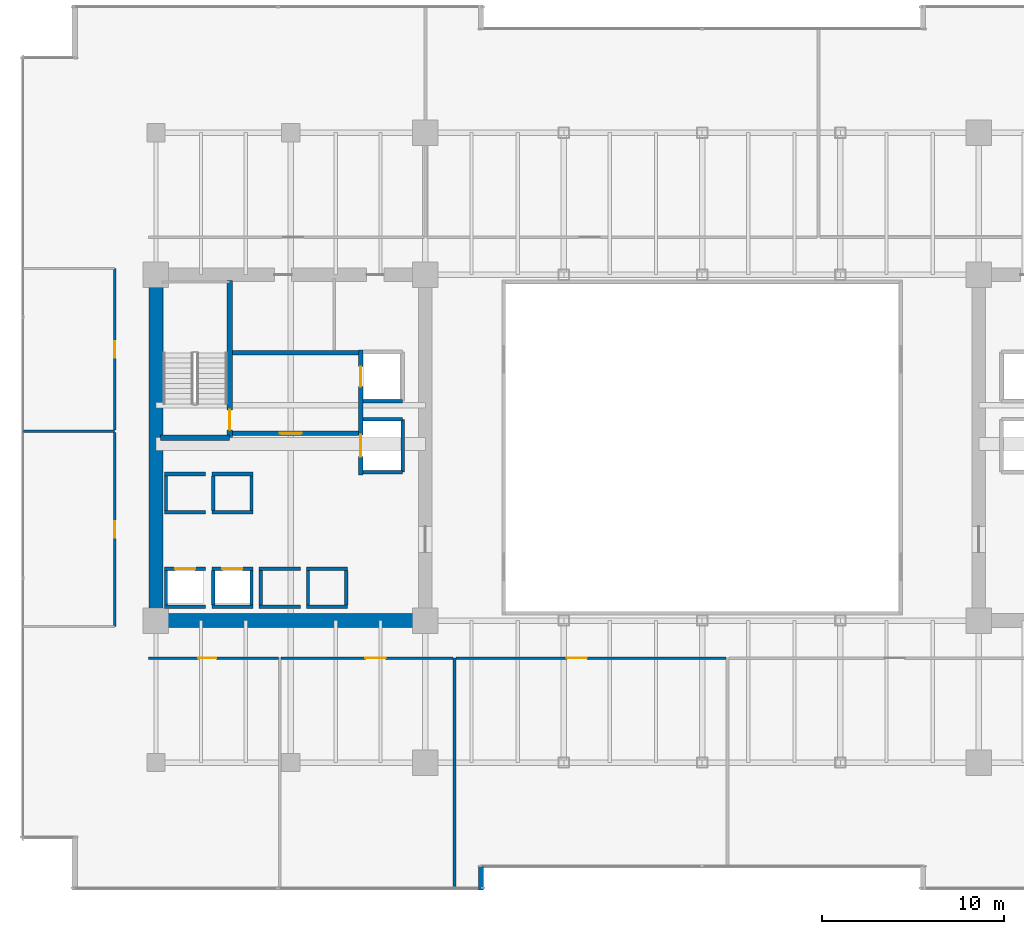
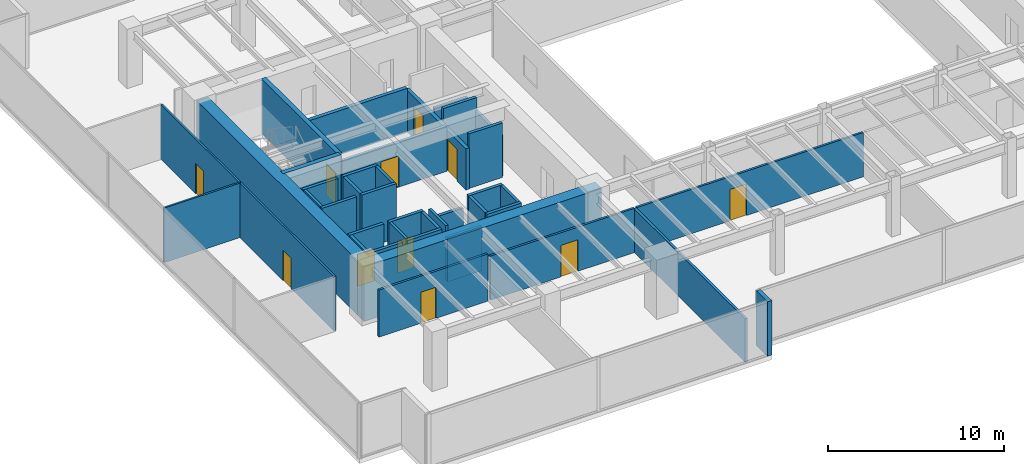
# One storey, part 29 of 35: 40 walls, 11 doors, 11 openings.
"""IFC4 building model written with IfcOpenShell, lengths in metres."""

from ifc_helpers import new_model, si_unit, direction, frame, frame_2d, origin, place, context, subcontext, project, spatial, rectangle, extrude, source, transform, mapped, material, layer, layer_set, type_object, type_shapes, element, fill, save


model = new_model("IFC4")

# Units and contexts
model_context = context("Model", 3, precision=1e-05, world=origin(), true_north=direction((0.0, 1.0)))
body_context = subcontext(model_context, "Body", "Model", "MODEL_VIEW")
ifc_project = project(units=[si_unit("LENGTHUNIT", "METRE"), si_unit("AREAUNIT", "SQUARE_METRE"), si_unit("VOLUMEUNIT", "CUBIC_METRE"), si_unit("PLANEANGLEUNIT", "RADIAN"), si_unit("MASSUNIT", "GRAM", prefix="KILO")], contexts=[model_context])

# Site, building, storey
site_placement = place(None, origin())
site = spatial("IfcSite", under=ifc_project, at=site_placement, CompositionType="ELEMENT")
building_placement = place(site_placement, origin())
building = spatial("IfcBuilding", under=site, at=building_placement, Name="Haelvirn Gate Laboratories", CompositionType="ELEMENT")
storey_placement = place(building_placement, frame((0.0, 0.0, 41.60009765625)))
storey = spatial("IfcBuildingStorey", under=building, at=storey_placement, Name="L10", CompositionType="ELEMENT", Elevation=41.60009765625)

# Walls
ifc_material_1 = material(Name="Thermally-broken bronze aluminium rainscreen & mineral wool", Category="aluminium")
ifc_layer_1 = layer(ifc_material_1, 0.280029296875, Name="EW-TERR-280")
ifc_layer_set_1 = layer_set([ifc_layer_1], Name="Thermally-broken bronze aluminium rainscreen & mineral wool")
wall_type_1 = type_object("IfcWallType", Name="EW-TERR-280", PredefinedType="STANDARD", material=ifc_layer_set_1)
wall_1_placement = place(storey_placement, frame((25.260009765625, 0.0, 0.0), z_axis=(0.0, 0.0, 1.0), x_axis=(0.0, 1.0, 0.0)))
element("IfcWall", 1, at=wall_1_placement, inside=storey, type_object=wall_type_1, Name="L10 Atrium Recess Bronze Return Wall 01", PredefinedType="STANDARD", context=body_context, shape_type="SweptSolid", body=[
    extrude(rectangle(XDim=1.2880859375, YDim=0.280029296875, at=frame_2d((0.64404296875, 0.0))), origin(), (0.0, 0.0, 1.0), 3.77978515625),
])
ifc_material_2 = material(Name="Double-layer acoustic gypsum laboratory partition", Category="gypsum")
ifc_layer_2 = layer(ifc_material_2, 0.159912109375, Name="IW-ACOUST-160")
ifc_layer_set_2 = layer_set([ifc_layer_2], Name="Double-layer acoustic gypsum laboratory partition")
wall_type_2 = type_object("IfcWallType", Name="IW-ACOUST-160", PredefinedType="PARTITIONING", material=ifc_layer_set_2)
wall_2_placement = place(storey_placement, frame((23.800048828125, 0.110107421875, 0.0), z_axis=(0.0, 0.0, 1.0), x_axis=(0.0, 1.0, 0.0)))
element("IfcWall", 2, at=wall_2_placement, inside=storey, type_object=wall_type_2, Name="L10 Interior Wall IW-L10-SDIV-02", PredefinedType="PARTITIONING", context=body_context, shape_type="SweptSolid", body=[
    extrude(rectangle(XDim=12.6298828125, YDim=0.159912109375, at=frame_2d((6.31494140625, 0.0))), origin(), (0.0, 0.0, 1.0), 3.014892578125),
])

# Wall, opening, door
ifc_material_3 = material(Name="Lightweight acoustic gypsum board partition", Category="gypsum")
ifc_layer_3 = layer(ifc_material_3, 0.1201171875, Name="IW-PART-120")
ifc_layer_set_3 = layer_set([ifc_layer_3], Name="Lightweight acoustic gypsum board partition")
wall_type_3 = type_object("IfcWallType", Name="IW-PART-120", PredefinedType="PARTITIONING", material=ifc_layer_set_3)
wall_3_placement = place(storey_placement, frame((5.1298828125, 14.465087890625, 0.0), z_axis=(0.0, 0.0, 1.0), x_axis=(0.0, 1.0, 0.0)))
wall_3 = element("IfcWall", 3, at=wall_3_placement, inside=storey, type_object=wall_type_3, Name="L10 Interior Wall IW-L10-WPASS-01", PredefinedType="PARTITIONING", context=body_context, shape_type="SweptSolid", body=[
    extrude(rectangle(XDim=10.6748046875, YDim=0.1201171875, at=frame_2d((5.33740234375, 0.0))), origin(), (0.0, 0.0, 1.0), 3.77978515625),
])
opening_1_placement = place(wall_3_placement, frame((4.887451171875, 0.0, 0.0)))
opening_1 = element("IfcOpeningElement", 4, at=opening_1_placement, cuts=wall_3, Name="Opening D4", PredefinedType="OPENING", context=body_context, shape_type="SweptSolid", body=[
    extrude(rectangle(XDim=0.89990234375, YDim=2.10009765625, at=frame_2d((0.449951171875, 1.050048828125))), frame((0.0, 0.070068359375, 0.0), z_axis=(0.0, -1.0, 0.0), x_axis=(1.0, 0.0, 0.0)), (0.0, 0.0, 1.0), 0.14013671875),
])
ifc_material_4 = material(Name="Glazed aluminium-framed write-up door", Category="aluminium")
door_type_1 = type_object("IfcDoorType", Name="DR-OFF-900", OperationType="NOTDEFINED", PredefinedType="DOOR", material=ifc_material_4)
shared_shape_1 = source(origin(), body_context, "Body", "SweptSolid", [
    extrude(rectangle(XDim=0.89990234375, YDim=2.10009765625, at=frame_2d((0.449951171875, 1.050048828125))), frame((0.0, 0.02490234375, 0.0), z_axis=(0.0, -1.0, 0.0), x_axis=(1.0, 0.0, 0.0)), (0.0, 0.0, 1.0), 0.050048828125),
])
type_shapes(door_type_1, [shared_shape_1])
door_1_placement = place(opening_1_placement, origin())
door_1 = element("IfcDoor", 5, at=door_1_placement, inside=storey, type_object=door_type_1, Name="L10 Researcher Break Pantry Door W1", OperationType="SINGLE_SWING_LEFT", OverallHeight=2.10009765625, OverallWidth=0.89990234375, PredefinedType="DOOR", context=body_context, shape_type="MappedRepresentation", body=[
    mapped(shared_shape_1, transform((0.0, 0.0, 0.0), scale=1.0)),
])
fill(opening_1, door_1)

# Wall
wall_4_placement = place(storey_placement, frame((0.110107421875, 25.199951171875, 0.0), z_axis=(0.0, 0.0, 1.0), x_axis=(1.0, 0.0, 0.0)))
element("IfcWall", 6, at=wall_4_placement, inside=storey, type_object=wall_type_3, Name="L10 Interior Wall IW-L10-WDIV-01", PredefinedType="PARTITIONING", context=body_context, shape_type="SweptSolid", body=[
    extrude(rectangle(XDim=5.019775390625, YDim=0.1201171875, at=frame_2d((2.509765625, 0.0))), origin(), (0.0, 0.0, 1.0), 3.77978515625),
])

# Wall, opening, door
wall_5_placement = place(storey_placement, frame((5.1298828125, 25.260009765625, 0.0), z_axis=(0.0, 0.0, 1.0), x_axis=(0.0, 1.0, 0.0)))
wall_5 = element("IfcWall", 7, at=wall_5_placement, inside=storey, type_object=wall_type_3, Name="L10 Interior Wall IW-L10-WPASS-02", PredefinedType="PARTITIONING", context=body_context, shape_type="SweptSolid", body=[
    extrude(rectangle(XDim=8.875, YDim=0.1201171875, at=frame_2d((4.4375, 0.0))), origin(), (0.0, 0.0, 1.0), 3.77978515625),
])
opening_2_placement = place(wall_5_placement, frame((3.987548828125, 0.0, 0.0)))
opening_2 = element("IfcOpeningElement", 8, at=opening_2_placement, cuts=wall_5, Name="Opening D4", PredefinedType="OPENING", context=body_context, shape_type="SweptSolid", body=[
    extrude(rectangle(XDim=0.89990234375, YDim=2.10009765625, at=frame_2d((0.449951171875, 1.050048828125))), frame((0.0, 0.070068359375, 0.0), z_axis=(0.0, -1.0, 0.0), x_axis=(1.0, 0.0, 0.0)), (0.0, 0.0, 1.0), 0.14013671875),
])
door_2_placement = place(opening_2_placement, origin())
door_2 = element("IfcDoor", 9, at=door_2_placement, inside=storey, type_object=door_type_1, Name="L10 Floor Hydration & Tea Servery Door W2", OperationType="SINGLE_SWING_RIGHT", OverallHeight=2.10009765625, OverallWidth=0.89990234375, PredefinedType="DOOR", context=body_context, shape_type="MappedRepresentation", body=[
    mapped(shared_shape_1, transform((0.0, 0.0, 0.0), scale=1.0)),
])
fill(opening_2, door_2)

ifc_material_5 = material(Name="Acoustic mineral-wool gypsum board partition", Category="gypsum")
ifc_layer_4 = layer(ifc_material_5, 0.139892578125, Name="IW-PART-140")
ifc_layer_set_4 = layer_set([ifc_layer_4], Name="Acoustic mineral-wool gypsum board partition")
wall_type_4 = type_object("IfcWallType", Name="IW-PART-140", PredefinedType="PARTITIONING", material=ifc_layer_set_4)
wall_6_placement = place(storey_placement, frame((6.97998046875, 12.739990234375, 0.0), z_axis=(0.0, 0.0, 1.0), x_axis=(1.0, 0.0, 0.0)))
wall_6 = element("IfcWall", 10, at=wall_6_placement, inside=storey, type_object=wall_type_4, Name="L10 Interior Wall IW-L10-SCORR-01", PredefinedType="PARTITIONING", context=body_context, shape_type="SweptSolid", body=[
    extrude(rectangle(XDim=7.14013671875, YDim=0.139892578125, at=frame_2d((3.570068359375, 0.0))), origin(), (0.0, 0.0, 1.0), 3.264892578125),
])
opening_3_placement = place(wall_6_placement, frame((2.74365234375, 0.0, 0.0)))
opening_3 = element("IfcOpeningElement", 11, at=opening_3_placement, cuts=wall_6, Name="Opening D2", PredefinedType="OPENING", context=body_context, shape_type="SweptSolid", body=[
    extrude(rectangle(XDim=1.0, YDim=2.14990234375, at=frame_2d((0.5, 1.074951171875))), frame((0.0, 0.080078125, 0.0), z_axis=(0.0, -1.0, 0.0), x_axis=(1.0, 0.0, 0.0)), (0.0, 0.0, 1.0), 0.159912109375),
])
ifc_material_6 = material(Name="Acoustic solid-core timber suite door", Category="wood")
door_type_2 = type_object("IfcDoorType", Name="DR-INT-1000", OperationType="NOTDEFINED", PredefinedType="DOOR", material=ifc_material_6)
shared_shape_2 = source(origin(), body_context, "Body", "SweptSolid", [
    extrude(rectangle(XDim=1.0, YDim=2.14990234375, at=frame_2d((0.5, 1.074951171875))), frame((0.0, 0.02490234375, 0.0), z_axis=(0.0, -1.0, 0.0), x_axis=(1.0, 0.0, 0.0)), (0.0, 0.0, 1.0), 0.050048828125),
])
type_shapes(door_type_2, [shared_shape_2])
door_3_placement = place(opening_3_placement, origin())
door_3 = element("IfcDoor", 12, at=door_3_placement, inside=storey, type_object=door_type_2, Name="L10 Translational Data Office Door S1", OperationType="SINGLE_SWING_LEFT", OverallHeight=2.14990234375, OverallWidth=1.0, PredefinedType="DOOR", context=body_context, shape_type="MappedRepresentation", body=[
    mapped(shared_shape_2, transform((0.0, 0.0, 0.0), scale=1.0)),
])
fill(opening_3, door_3)

wall_7_placement = place(storey_placement, frame((14.280029296875, 12.739990234375, 0.0), z_axis=(0.0, 0.0, 1.0), x_axis=(1.0, 0.0, 0.0)))
wall_7 = element("IfcWall", 13, at=wall_7_placement, inside=storey, type_object=wall_type_4, Name="L10 Interior Wall IW-L10-SCORR-02", PredefinedType="PARTITIONING", context=body_context, shape_type="SweptSolid", body=[
    extrude(rectangle(XDim=9.43994140625, YDim=0.139892578125, at=frame_2d((4.719970703125, 0.0))), origin(), (0.0, 0.0, 1.0), 3.06494140625),
])
opening_4_placement = place(wall_7_placement, frame((4.62841796875, 0.0, 0.0)))
opening_4 = element("IfcOpeningElement", 14, at=opening_4_placement, cuts=wall_7, Name="Opening D1", PredefinedType="OPENING", context=body_context, shape_type="SweptSolid", body=[
    extrude(rectangle(XDim=1.10009765625, YDim=2.179931640625, at=frame_2d((0.550048828125, 1.08984375))), frame((0.0, 0.080078125, 0.0), z_axis=(0.0, -1.0, 0.0), x_axis=(1.0, 0.0, 0.0)), (0.0, 0.0, 1.0), 0.159912109375),
])
ifc_material_7 = material(Name="Vision-panel acoustic solid-core timber lab door", Category="wood")
door_type_3 = type_object("IfcDoorType", Name="DR-LAB-1100", OperationType="NOTDEFINED", PredefinedType="DOOR", material=ifc_material_7)
shared_shape_3 = source(origin(), body_context, "Body", "SweptSolid", [
    extrude(rectangle(XDim=1.10009765625, YDim=2.179931640625, at=frame_2d((0.550048828125, 1.08984375))), frame((0.0, 0.02490234375, 0.0), z_axis=(0.0, -1.0, 0.0), x_axis=(1.0, 0.0, 0.0)), (0.0, 0.0, 1.0), 0.050048828125),
])
type_shapes(door_type_3, [shared_shape_3])
door_4_placement = place(opening_4_placement, origin())
door_4 = element("IfcDoor", 15, at=door_4_placement, inside=storey, type_object=door_type_3, Name="L10 Computational Write-Up Office Door S2", OperationType="SINGLE_SWING_RIGHT", OverallHeight=2.179931640625, OverallWidth=1.10009765625, PredefinedType="DOOR", context=body_context, shape_type="MappedRepresentation", body=[
    mapped(shared_shape_3, transform((0.0, 0.0, 0.0), scale=1.0)),
])
fill(opening_4, door_4)

wall_8_placement = place(storey_placement, frame((23.8798828125, 12.739990234375, 0.0), z_axis=(0.0, 0.0, 1.0), x_axis=(1.0, 0.0, 0.0)))
wall_8 = element("IfcWall", 16, at=wall_8_placement, inside=storey, type_object=wall_type_4, Name="L10 Interior Wall IW-L10-SCORR-03", PredefinedType="PARTITIONING", context=body_context, shape_type="SweptSolid", body=[
    extrude(rectangle(XDim=14.840087890625, YDim=0.139892578125, at=frame_2d((7.419921875, 0.0))), origin(), (0.0, 0.0, 1.0), 3.06494140625),
])
opening_5_placement = place(wall_8_placement, frame((6.087646484375, 0.0, 0.0)))
opening_5 = element("IfcOpeningElement", 17, at=opening_5_placement, cuts=wall_8, Name="Opening D1", PredefinedType="OPENING", context=body_context, shape_type="SweptSolid", body=[
    extrude(rectangle(XDim=1.10009765625, YDim=2.179931640625, at=frame_2d((0.550048828125, 1.08984375))), frame((0.0, 0.080078125, 0.0), z_axis=(0.0, -1.0, 0.0), x_axis=(1.0, 0.0, 0.0)), (0.0, 0.0, 1.0), 0.159912109375),
])
door_5_placement = place(opening_5_placement, origin())
door_5 = element("IfcDoor", 18, at=door_5_placement, inside=storey, type_object=door_type_3, Name="L10 Bioinformatics Dry-Lab Workspace Door S3", OperationType="SINGLE_SWING_LEFT", OverallHeight=2.179931640625, OverallWidth=1.10009765625, PredefinedType="DOOR", context=body_context, shape_type="MappedRepresentation", body=[
    mapped(shared_shape_3, transform((0.0, 0.0, 0.0), scale=1.0)),
])
fill(opening_5, door_5)

# Walls
ifc_material_8 = material(Name="Concrete C40/50", Category="concrete")
ifc_layer_5 = layer(ifc_material_8, 0.179931640625, Name="IW-SHAFT-180")
ifc_layer_set_5 = layer_set([ifc_layer_5], Name="Concrete C40/50")
wall_type_5 = type_object("IfcWallType", Name="IW-SHAFT-180", PredefinedType="SOLIDWALL", material=ifc_layer_set_5)
for number, where, z_axis, x_axis, name in (
    (19, (7.949951171875, 15.64990234375, 0.0), (0.0, 0.0, 1.0), (0.0, 1.0, 0.0), "L10 Interior Wall IW-L10-PL1-SD"),
    (20, (10.550048828125, 15.64990234375, 0.0), (0.0, 0.0, 1.0), (0.0, 1.0, 0.0), "L10 Interior Wall IW-L10-PL2-SD"),
    (21, (12.64990234375, 15.64990234375, 0.0), (0.0, 0.0, 1.0), (0.0, 1.0, 0.0), "L10 Interior Wall IW-L10-PL2-SDE"),
    (22, (13.14990234375, 15.64990234375, 0.0), (0.0, 0.0, 1.0), (0.0, 1.0, 0.0), "L10 Interior Wall IW-L10-PL5-SD"),
    (23, (15.75, 15.64990234375, 0.0), (0.0, 0.0, 1.0), (0.0, 1.0, 0.0), "L10 Interior Wall IW-L10-PL6-SD"),
    (24, (17.85009765625, 15.64990234375, 0.0), (0.0, 0.0, 1.0), (0.0, 1.0, 0.0), "L10 Interior Wall IW-L10-PL6-SDE"),
):
    element("IfcWall", number, at=place(storey_placement, frame(where, z_axis=z_axis, x_axis=x_axis)), inside=storey, type_object=wall_type_5, Name=name, PredefinedType="SOLIDWALL", context=body_context, shape_type="SweptSolid", body=[
        extrude(rectangle(XDim=1.900146484375, YDim=0.179931640625, at=frame_2d((0.9501953125, 0.0))), origin(), (0.0, 0.0, 1.0), 3.77978515625),
    ])
for number, where, z_axis, x_axis, name in (
    (25, (7.949951171875, 20.85009765625, 0.0), (0.0, 0.0, 1.0), (0.0, 1.0, 0.0), "L10 Interior Wall IW-L10-PL9-SD"),
    (26, (10.550048828125, 20.85009765625, 0.0), (0.0, 0.0, 1.0), (0.0, 1.0, 0.0), "L10 Interior Wall IW-L10-PL10-SD"),
    (27, (12.64990234375, 20.85009765625, 0.0), (0.0, 0.0, 1.0), (0.0, 1.0, 0.0), "L10 Interior Wall IW-L10-PL10-SDE"),
):
    element("IfcWall", number, at=place(storey_placement, frame(where, z_axis=z_axis, x_axis=x_axis)), inside=storey, type_object=wall_type_5, Name=name, PredefinedType="SOLIDWALL", context=body_context, shape_type="SweptSolid", body=[
        extrude(rectangle(XDim=1.89990234375, YDim=0.179931640625, at=frame_2d((0.949951171875, 0.0))), origin(), (0.0, 0.0, 1.0), 3.77978515625),
    ])

# Wall, opening, door
ifc_layer_6 = layer(ifc_material_8, 0.199951171875, Name="IW-SHAFT-200")
ifc_layer_set_6 = layer_set([ifc_layer_6], Name="Concrete C40/50")
wall_type_6 = type_object("IfcWallType", Name="IW-SHAFT-200", PredefinedType="SOLIDWALL", material=ifc_layer_set_6)
wall_9_placement = place(storey_placement, frame((7.8701171875, 17.64990234375, 0.0), z_axis=(0.0, 0.0, 1.0), x_axis=(1.0, 0.0, 0.0)))
wall_9 = element("IfcWall", 28, at=wall_9_placement, inside=storey, type_object=wall_type_6, Name="L10 Interior Wall IW-L10-PL1-FR", PredefinedType="SOLIDWALL", context=body_context, shape_type="SweptSolid", body=[
    extrude(rectangle(XDim=2.259765625, YDim=0.199951171875, at=frame_2d((1.1298828125, 0.0))), origin(), (0.0, 0.0, 1.0), 3.77978515625),
])
opening_6_placement = place(wall_9_placement, frame((0.580078125, 0.0, 0.0)))
opening_6 = element("IfcOpeningElement", 29, at=opening_6_placement, cuts=wall_9, Name="Opening LD2", PredefinedType="OPENING", context=body_context, shape_type="SweptSolid", body=[
    extrude(rectangle(XDim=1.10009765625, YDim=2.219970703125, at=frame_2d((0.550048828125, 1.10986328125))), frame((0.0, 0.10986328125, 0.0), z_axis=(0.0, -1.0, 0.0), x_axis=(1.0, 0.0, 0.0)), (0.0, 0.0, 1.0), 0.219970703125),
])
ifc_material_9 = material(Name="Bronze stainless 316L sliding lift landing door")
door_type_4 = type_object("IfcDoorType", Name="DR-LD-1100", OperationType="NOTDEFINED", PredefinedType="USERDEFINED", material=ifc_material_9)
shared_shape_4 = source(origin(), body_context, "Body", "SweptSolid", [
    extrude(rectangle(XDim=1.10009765625, YDim=2.219970703125, at=frame_2d((0.550048828125, 1.10986328125))), frame((0.0, 0.02490234375, 0.0), z_axis=(0.0, -1.0, 0.0), x_axis=(1.0, 0.0, 0.0)), (0.0, 0.0, 1.0), 0.050048828125),
])
type_shapes(door_type_4, [shared_shape_4])
door_6_placement = place(opening_6_placement, origin())
door_6 = element("IfcDoor", 30, at=door_6_placement, inside=storey, type_object=door_type_4, Name="L10 Passenger Lift PL1 Landing Door", ObjectType="LANDING_DOOR", OperationType="SLIDING_TO_LEFT", OverallHeight=2.219970703125, OverallWidth=1.10009765625, PredefinedType="USERDEFINED", context=body_context, shape_type="MappedRepresentation", body=[
    mapped(shared_shape_4, transform((0.0, 0.0, 0.0), scale=1.0)),
])
fill(opening_6, door_6)

# Wall
wall_10_placement = place(storey_placement, frame((7.8701171875, 15.550048828125, 0.0), z_axis=(0.0, 0.0, 1.0), x_axis=(1.0, 0.0, 0.0)))
element("IfcWall", 31, at=wall_10_placement, inside=storey, type_object=wall_type_6, Name="L10 Interior Wall IW-L10-PL1-BK", PredefinedType="SOLIDWALL", context=body_context, shape_type="SweptSolid", body=[
    extrude(rectangle(XDim=2.259765625, YDim=0.199951171875, at=frame_2d((1.1298828125, 0.0))), origin(), (0.0, 0.0, 1.0), 3.77978515625),
])

# Wall, opening, door
wall_11_placement = place(storey_placement, frame((10.469970703125, 17.64990234375, 0.0), z_axis=(0.0, 0.0, 1.0), x_axis=(1.0, 0.0, 0.0)))
wall_11 = element("IfcWall", 32, at=wall_11_placement, inside=storey, type_object=wall_type_6, Name="L10 Interior Wall IW-L10-PL2-FR", PredefinedType="SOLIDWALL", context=body_context, shape_type="SweptSolid", body=[
    extrude(rectangle(XDim=2.260009765625, YDim=0.199951171875, at=frame_2d((1.1298828125, 0.0))), origin(), (0.0, 0.0, 1.0), 3.77978515625),
])
opening_7_placement = place(wall_11_placement, frame((0.580078125, 0.0, 0.0)))
opening_7 = element("IfcOpeningElement", 33, at=opening_7_placement, cuts=wall_11, Name="Opening LD2", PredefinedType="OPENING", context=body_context, shape_type="SweptSolid", body=[
    extrude(rectangle(XDim=1.10009765625, YDim=2.219970703125, at=frame_2d((0.550048828125, 1.10986328125))), frame((0.0, 0.10986328125, 0.0), z_axis=(0.0, -1.0, 0.0), x_axis=(1.0, 0.0, 0.0)), (0.0, 0.0, 1.0), 0.219970703125),
])
door_7_placement = place(opening_7_placement, origin())
door_7 = element("IfcDoor", 34, at=door_7_placement, inside=storey, type_object=door_type_4, Name="L10 Passenger Lift PL2 Landing Door", ObjectType="LANDING_DOOR", OperationType="SLIDING_TO_RIGHT", OverallHeight=2.219970703125, OverallWidth=1.10009765625, PredefinedType="USERDEFINED", context=body_context, shape_type="MappedRepresentation", body=[
    mapped(shared_shape_4, transform((0.0, 0.0, 0.0), scale=1.0)),
])
fill(opening_7, door_7)

# Walls
wall_12_placement = place(storey_placement, frame((10.469970703125, 15.550048828125, 0.0), z_axis=(0.0, 0.0, 1.0), x_axis=(1.0, 0.0, 0.0)))
element("IfcWall", 35, at=wall_12_placement, inside=storey, type_object=wall_type_6, Name="L10 Interior Wall IW-L10-PL2-BK", PredefinedType="SOLIDWALL", context=body_context, shape_type="SweptSolid", body=[
    extrude(rectangle(XDim=2.260009765625, YDim=0.199951171875, at=frame_2d((1.1298828125, 0.0))), origin(), (0.0, 0.0, 1.0), 3.77978515625),
])
for number, where, z_axis, x_axis, name in (
    (36, (13.070068359375, 17.64990234375, 0.0), (0.0, 0.0, 1.0), (1.0, 0.0, 0.0), "L10 Interior Wall IW-L10-PL5-FR"),
    (37, (13.070068359375, 15.550048828125, 0.0), (0.0, 0.0, 1.0), (1.0, 0.0, 0.0), "L10 Interior Wall IW-L10-PL5-BK"),
):
    element("IfcWall", number, at=place(storey_placement, frame(where, z_axis=z_axis, x_axis=x_axis)), inside=storey, type_object=wall_type_6, Name=name, PredefinedType="SOLIDWALL", context=body_context, shape_type="SweptSolid", body=[
        extrude(rectangle(XDim=2.260009765625, YDim=0.199951171875, at=frame_2d((1.1298828125, 0.0))), origin(), (0.0, 0.0, 1.0), 3.06494140625),
    ])
for number, where, z_axis, x_axis, name in (
    (38, (15.669921875, 17.64990234375, 0.0), (0.0, 0.0, 1.0), (1.0, 0.0, 0.0), "L10 Interior Wall IW-L10-PL6-FR"),
    (39, (15.669921875, 15.550048828125, 0.0), (0.0, 0.0, 1.0), (1.0, 0.0, 0.0), "L10 Interior Wall IW-L10-PL6-BK"),
):
    element("IfcWall", number, at=place(storey_placement, frame(where, z_axis=z_axis, x_axis=x_axis)), inside=storey, type_object=wall_type_6, Name=name, PredefinedType="SOLIDWALL", context=body_context, shape_type="SweptSolid", body=[
        extrude(rectangle(XDim=2.260009765625, YDim=0.199951171875, at=frame_2d((1.1298828125, 0.0))), origin(), (0.0, 0.0, 1.0), 3.77978515625),
    ])
for number, where, z_axis, x_axis, name in (
    (40, (7.8701171875, 20.75, 0.0), (0.0, 0.0, 1.0), (1.0, 0.0, 0.0), "L10 Interior Wall IW-L10-PL9-FR"),
    (41, (7.8701171875, 22.85009765625, 0.0), (0.0, 0.0, 1.0), (1.0, 0.0, 0.0), "L10 Interior Wall IW-L10-PL9-BK"),
):
    element("IfcWall", number, at=place(storey_placement, frame(where, z_axis=z_axis, x_axis=x_axis)), inside=storey, type_object=wall_type_6, Name=name, PredefinedType="SOLIDWALL", context=body_context, shape_type="SweptSolid", body=[
        extrude(rectangle(XDim=2.259765625, YDim=0.199951171875, at=frame_2d((1.1298828125, 0.0))), origin(), (0.0, 0.0, 1.0), 3.77978515625),
    ])
for number, where, z_axis, x_axis, name in (
    (42, (10.469970703125, 20.75, 0.0), (0.0, 0.0, 1.0), (1.0, 0.0, 0.0), "L10 Interior Wall IW-L10-PL10-FR"),
    (43, (10.469970703125, 22.85009765625, 0.0), (0.0, 0.0, 1.0), (1.0, 0.0, 0.0), "L10 Interior Wall IW-L10-PL10-BK"),
):
    element("IfcWall", number, at=place(storey_placement, frame(where, z_axis=z_axis, x_axis=x_axis)), inside=storey, type_object=wall_type_6, Name=name, PredefinedType="SOLIDWALL", context=body_context, shape_type="SweptSolid", body=[
        extrude(rectangle(XDim=2.260009765625, YDim=0.199951171875, at=frame_2d((1.1298828125, 0.0))), origin(), (0.0, 0.0, 1.0), 3.77978515625),
    ])
wall_13_placement = place(storey_placement, frame((18.760009765625, 26.85009765625, 0.0), z_axis=(0.0, 0.0, 1.0), x_axis=(1.0, 0.0, 0.0)))
element("IfcWall", 44, at=wall_13_placement, inside=storey, type_object=wall_type_6, Name="L10 Interior Wall IW-L10-FL1-S", PredefinedType="SOLIDWALL", context=body_context, shape_type="SweptSolid", body=[
    extrude(rectangle(XDim=2.18994140625, YDim=0.199951171875, at=frame_2d((1.094970703125, 0.0))), origin(), (0.0, 0.0, 1.0), 3.177001953125),
])
wall_14_placement = place(storey_placement, frame((20.949951171875, 22.949951171875, 0.0), z_axis=(0.0, 0.0, 1.0), x_axis=(0.0, 1.0, 0.0)))
element("IfcWall", 45, at=wall_14_placement, inside=storey, type_object=wall_type_6, Name="L10 Interior Wall IW-L10-SL1-BK", PredefinedType="SOLIDWALL", context=body_context, shape_type="SweptSolid", body=[
    extrude(rectangle(XDim=2.900146484375, YDim=0.199951171875, at=frame_2d((1.4501953125, 0.0))), origin(), (0.0, 0.0, 1.0), 2.864990234375),
])
for number, where, z_axis, x_axis, name in (
    (46, (18.760009765625, 25.85009765625, 0.0), (0.0, 0.0, 1.0), (1.0, 0.0, 0.0), "L10 Interior Wall IW-L10-SL1-N"),
    (47, (18.760009765625, 22.949951171875, 0.0), (0.0, 0.0, 1.0), (1.0, 0.0, 0.0), "L10 Interior Wall IW-L10-SL1-S"),
):
    element("IfcWall", number, at=place(storey_placement, frame(where, z_axis=z_axis, x_axis=x_axis)), inside=storey, type_object=wall_type_6, Name=name, PredefinedType="SOLIDWALL", context=body_context, shape_type="SweptSolid", body=[
        extrude(rectangle(XDim=2.18994140625, YDim=0.199951171875, at=frame_2d((1.094970703125, 0.0))), origin(), (0.0, 0.0, 1.0), 3.77978515625),
    ])

# Wall, opening, door
ifc_layer_7 = layer(ifc_material_8, 0.239990234375, Name="IW-SHAFT-240")
ifc_layer_set_7 = layer_set([ifc_layer_7], Name="Concrete C40/50")
wall_type_7 = type_object("IfcWallType", Name="IW-SHAFT-240", PredefinedType="SOLIDWALL", material=ifc_layer_set_7)
wall_15_placement = place(storey_placement, frame((11.60009765625, 25.080078125, 0.0), z_axis=(0.0, 0.0, 1.0), x_axis=(1.0, 0.0, 0.0)))
wall_15 = element("IfcWall", 48, at=wall_15_placement, inside=storey, type_object=wall_type_7, Name="L10 Interior Wall IW-L10-W-FF-S", PredefinedType="SOLIDWALL", context=body_context, shape_type="SweptSolid", body=[
    extrude(rectangle(XDim=6.919921875, YDim=0.239990234375, at=frame_2d((3.4599609375, 0.0))), origin(), (0.0, 0.0, 1.0), 3.06494140625),
])
opening_8_placement = place(wall_15_placement, frame((2.60009765625, 0.0, 0.0)))
opening_8 = element("IfcOpeningElement", 49, at=opening_8_placement, cuts=wall_15, Name="Opening FD2", PredefinedType="OPENING", context=body_context, shape_type="SweptSolid", body=[
    extrude(rectangle(XDim=1.199951171875, YDim=2.159912109375, at=frame_2d((0.60009765625, 1.080078125))), frame((0.0, 0.1298828125, 0.0), z_axis=(0.0, -1.0, 0.0), x_axis=(1.0, 0.0, 0.0)), (0.0, 0.0, 1.0), 0.260009765625),
])
ifc_material_10 = material(Name="Fire-rated steel SM355 compartment door", Category="steel")
door_type_5 = type_object("IfcDoorType", Name="DR-FD-1200", OperationType="NOTDEFINED", PredefinedType="DOOR", material=ifc_material_10)
shared_shape_5 = source(origin(), body_context, "Body", "SweptSolid", [
    extrude(rectangle(XDim=1.199951171875, YDim=2.159912109375, at=frame_2d((0.60009765625, 1.080078125))), frame((0.0, 0.02490234375, 0.0), z_axis=(0.0, -1.0, 0.0), x_axis=(1.0, 0.0, 0.0)), (0.0, 0.0, 1.0), 0.050048828125),
])
type_shapes(door_type_5, [shared_shape_5])
door_8_placement = place(opening_8_placement, origin())
door_8 = element("IfcDoor", 50, at=door_8_placement, inside=storey, type_object=door_type_5, Name="L10 West Firefighting Lobby Door", OperationType="SINGLE_SWING_RIGHT", OverallHeight=2.159912109375, OverallWidth=1.199951171875, PredefinedType="DOOR", context=body_context, shape_type="MappedRepresentation", body=[
    mapped(shared_shape_5, transform((0.0, 0.0, 0.0), scale=1.0)),
])
fill(opening_8, door_8)

# Wall
wall_16_placement = place(storey_placement, frame((11.60009765625, 29.52001953125, 0.0), z_axis=(0.0, 0.0, 1.0), x_axis=(1.0, 0.0, 0.0)))
element("IfcWall", 51, at=wall_16_placement, inside=storey, type_object=wall_type_7, Name="L10 Interior Wall IW-L10-W-FF-N", PredefinedType="SOLIDWALL", context=body_context, shape_type="SweptSolid", body=[
    extrude(rectangle(XDim=6.919921875, YDim=0.239990234375, at=frame_2d((3.4599609375, 0.0))), origin(), (0.0, 0.0, 1.0), 3.06494140625),
])

# Wall, openings, doors
wall_17_placement = place(storey_placement, frame((18.639892578125, 22.800048828125, 0.0), z_axis=(0.0, 0.0, 1.0), x_axis=(0.0, 1.0, 0.0)))
wall_17 = element("IfcWall", 52, at=wall_17_placement, inside=storey, type_object=wall_type_7, Name="L10 Interior Wall IW-L10-W-FF-E", PredefinedType="SOLIDWALL", context=body_context, shape_type="SweptSolid", body=[
    extrude(rectangle(XDim=6.849853515625, YDim=0.239990234375, at=frame_2d((3.4248046875, 0.0))), origin(), (0.0, 0.0, 1.0), 2.864990234375),
])
opening_9_placement = place(wall_17_placement, frame((4.85009765625, 0.0, 0.0)))
opening_9 = element("IfcOpeningElement", 53, at=opening_9_placement, cuts=wall_17, Name="Opening LD2", PredefinedType="OPENING", context=body_context, shape_type="SweptSolid", body=[
    extrude(rectangle(XDim=1.10009765625, YDim=2.219970703125, at=frame_2d((0.550048828125, 1.10986328125))), frame((0.0, 0.1298828125, 0.0), z_axis=(0.0, -1.0, 0.0), x_axis=(1.0, 0.0, 0.0)), (0.0, 0.0, 1.0), 0.260009765625),
])
opening_10_placement = place(wall_17_placement, frame((1.0, 0.0, 0.0)))
opening_10 = element("IfcOpeningElement", 54, at=opening_10_placement, cuts=wall_17, Name="Opening LD1", PredefinedType="OPENING", context=body_context, shape_type="SweptSolid", body=[
    extrude(rectangle(XDim=1.199951171875, YDim=2.219970703125, at=frame_2d((0.60009765625, 1.10986328125))), frame((0.0, 0.1298828125, 0.0), z_axis=(0.0, -1.0, 0.0), x_axis=(1.0, 0.0, 0.0)), (0.0, 0.0, 1.0), 0.260009765625),
])
door_9_placement = place(opening_9_placement, origin())
door_9 = element("IfcDoor", 55, at=door_9_placement, inside=storey, type_object=door_type_4, Name="L10 Firefighting Lift FL1 Landing Door", ObjectType="LANDING_DOOR", OperationType="SLIDING_TO_LEFT", OverallHeight=2.219970703125, OverallWidth=1.10009765625, PredefinedType="USERDEFINED", context=body_context, shape_type="MappedRepresentation", body=[
    mapped(shared_shape_4, transform((0.0, 0.0, 0.0), scale=1.0)),
])
fill(opening_9, door_9)
ifc_material_11 = material(Name="Stainless steel 316L sliding goods landing door", Category="steel")
door_type_6 = type_object("IfcDoorType", Name="DR-LD-1200", OperationType="NOTDEFINED", PredefinedType="USERDEFINED", material=ifc_material_11)
shared_shape_6 = source(origin(), body_context, "Body", "SweptSolid", [
    extrude(rectangle(XDim=1.199951171875, YDim=2.219970703125, at=frame_2d((0.60009765625, 1.10986328125))), frame((0.0, 0.02490234375, 0.0), z_axis=(0.0, -1.0, 0.0), x_axis=(1.0, 0.0, 0.0)), (0.0, 0.0, 1.0), 0.050048828125),
])
type_shapes(door_type_6, [shared_shape_6])
door_10_placement = place(opening_10_placement, origin())
door_10 = element("IfcDoor", 56, at=door_10_placement, inside=storey, type_object=door_type_6, Name="L10 Service Lift SL1 Landing Door", ObjectType="LANDING_DOOR", OperationType="SLIDING_TO_RIGHT", OverallHeight=2.219970703125, OverallWidth=1.199951171875, PredefinedType="USERDEFINED", context=body_context, shape_type="MappedRepresentation", body=[
    mapped(shared_shape_6, transform((0.0, 0.0, 0.0), scale=1.0)),
])
fill(opening_10, door_10)

# Walls
ifc_material_12 = material(Name="Concrete C70/85", Category="concrete")
ifc_layer_8 = layer(ifc_material_12, 0.75, Name="SW-CORE-750")
ifc_layer_set_8 = layer_set([ifc_layer_8], Name="Concrete C70/85")
wall_type_8 = type_object("IfcWallType", Name="SW-CORE-750", PredefinedType="SHEAR", material=ifc_layer_set_8)
wall_18_placement = place(storey_placement, frame((7.02490234375, 14.800048828125, 0.0), z_axis=(0.0, 0.0, 1.0), x_axis=(1.0, 0.0, 0.0)))
element("IfcWall", 57, at=wall_18_placement, inside=storey, type_object=wall_type_8, Name="L10 W Core Shear Wall S", PredefinedType="SHEAR", context=body_context, shape_type="SweptSolid", body=[
    extrude(rectangle(XDim=15.550048828125, YDim=0.75, at=frame_2d((7.77490234375, 0.0))), origin(), (0.0, 0.0, 1.0), 3.77978515625),
])
wall_19_placement = place(storey_placement, frame((7.39990234375, 15.175048828125, 0.0), z_axis=(0.0, 0.0, 1.0), x_axis=(0.0, 1.0, 0.0)))
element("IfcWall", 58, at=wall_19_placement, inside=storey, type_object=wall_type_8, Name="L10 W Core Shear Wall W", PredefinedType="SHEAR", context=body_context, shape_type="SweptSolid", body=[
    extrude(rectangle(XDim=18.25, YDim=0.75, at=frame_2d((9.125, 0.0))), origin(), (0.0, 0.0, 1.0), 3.77978515625),
])

# Wall, opening, door
ifc_material_13 = material(Name="Concrete C50/60", Category="concrete")
ifc_layer_9 = layer(ifc_material_13, 0.300048828125, Name="SW-STAIR-300")
ifc_layer_set_9 = layer_set([ifc_layer_9], Name="Concrete C50/60")
wall_type_9 = type_object("IfcWallType", Name="SW-STAIR-300", PredefinedType="SHEAR", material=ifc_layer_set_9)
wall_20_placement = place(storey_placement, frame((11.449951171875, 24.85009765625, 0.0), z_axis=(0.0, 0.0, 1.0), x_axis=(0.0, 1.0, 0.0)))
wall_20 = element("IfcWall", 59, at=wall_20_placement, inside=storey, type_object=wall_type_9, Name="L10 W Core Stair Shaft Structural Wall IN", PredefinedType="SHEAR", context=body_context, shape_type="SweptSolid", body=[
    extrude(rectangle(XDim=8.6298828125, YDim=0.300048828125, at=frame_2d((4.31494140625, 0.0))), origin(), (0.0, 0.0, 1.0), 3.77978515625),
])
opening_11_placement = place(wall_20_placement, frame((0.419921875, 0.0, 0.0)))
opening_11 = element("IfcOpeningElement", 60, at=opening_11_placement, cuts=wall_20, Name="Opening FD3", PredefinedType="OPENING", context=body_context, shape_type="SweptSolid", body=[
    extrude(rectangle(XDim=1.10009765625, YDim=2.14990234375, at=frame_2d((0.550048828125, 1.074951171875))), frame((0.0, 0.16015625, 0.0), z_axis=(0.0, -1.0, 0.0), x_axis=(1.0, 0.0, 0.0)), (0.0, 0.0, 1.0), 0.320068359375),
])
ifc_material_14 = material(Name="Fire-rated steel SM355 escape stair door", Category="steel")
door_type_7 = type_object("IfcDoorType", Name="DR-FD-1100", OperationType="NOTDEFINED", PredefinedType="DOOR", material=ifc_material_14)
shared_shape_7 = source(origin(), body_context, "Body", "SweptSolid", [
    extrude(rectangle(XDim=1.10009765625, YDim=2.14990234375, at=frame_2d((0.550048828125, 1.074951171875))), frame((0.0, 0.02490234375, 0.0), z_axis=(0.0, -1.0, 0.0), x_axis=(1.0, 0.0, 0.0)), (0.0, 0.0, 1.0), 0.050048828125),
])
type_shapes(door_type_7, [shared_shape_7])
door_11_placement = place(opening_11_placement, origin())
door_11 = element("IfcDoor", 61, at=door_11_placement, inside=storey, type_object=door_type_7, Name="L10 Escape Stair ST1 Fire Door", OperationType="SINGLE_SWING_LEFT", OverallHeight=2.14990234375, OverallWidth=1.10009765625, PredefinedType="DOOR", context=body_context, shape_type="MappedRepresentation", body=[
    mapped(shared_shape_7, transform((0.0, 0.0, 0.0), scale=1.0)),
])
fill(opening_11, door_11)

# Wall
wall_21_placement = place(storey_placement, frame((7.64990234375, 24.85009765625, 0.0), z_axis=(0.0, 0.0, 1.0), x_axis=(1.0, 0.0, 0.0)))
element("IfcWall", 62, at=wall_21_placement, inside=storey, type_object=wall_type_9, Name="L10 W Core Stair Shaft Structural Wall S", PredefinedType="SHEAR", context=body_context, shape_type="SweptSolid", body=[
    extrude(rectangle(XDim=3.800048828125, YDim=0.300048828125, at=frame_2d((1.89990234375, 0.0))), origin(), (0.0, 0.0, 1.0), 3.77978515625),
])

save(model, "model.ifc")
